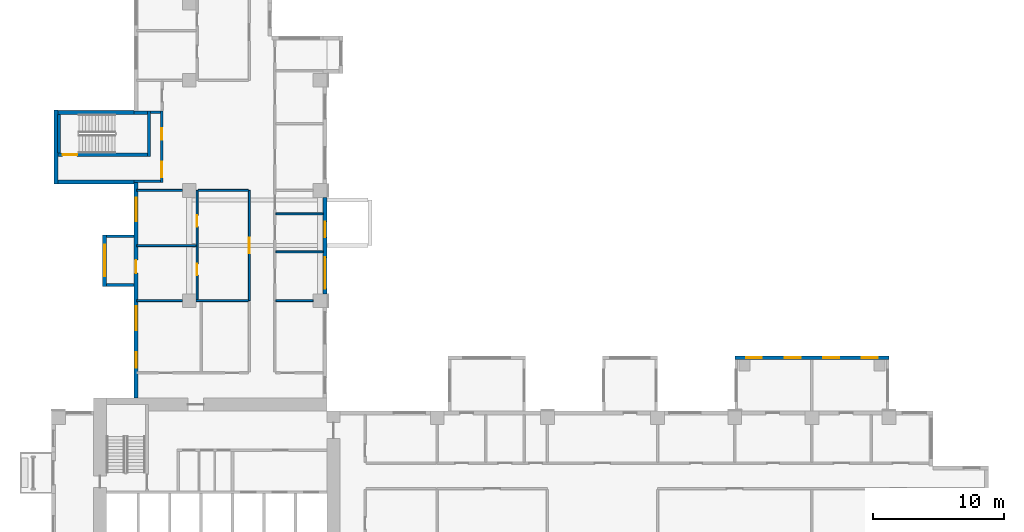
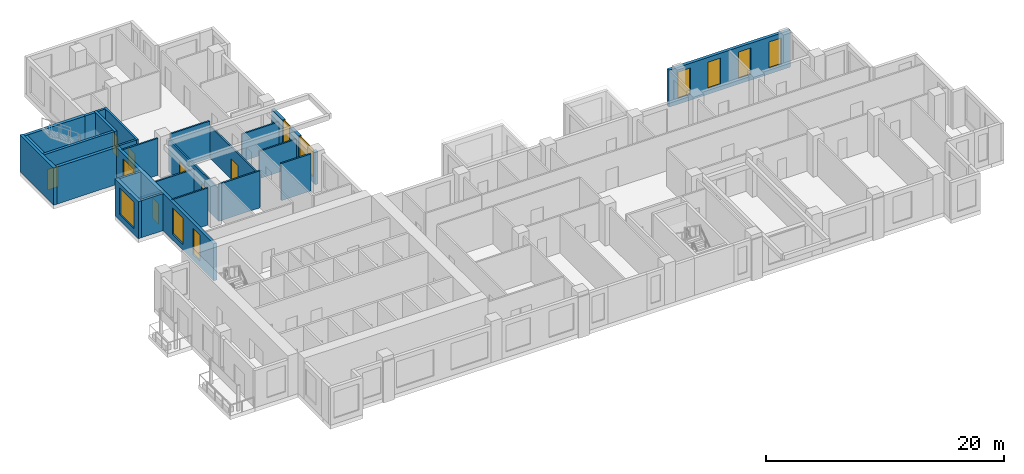
# One storey, part 6 of 14: 26 walls, 10 windows, 7 doors, 17 openings.
"""IFC4 building model written with IfcOpenShell, lengths in metres."""

from ifc_helpers import new_model, si_unit, direction, frame, frame_2d, origin, place, context, subcontext, project, spatial, rectangle, extrude, source, transform, mapped, material, layer, layer_set, type_object, element, fill, save


model = new_model("IFC4")

# Units and contexts
model_context = context("Model", 3, precision=1e-05, world=origin(), true_north=direction((0.0, 1.0)))
body_context = subcontext(model_context, "Body", "Model", "MODEL_VIEW")
ifc_project = project(units=[si_unit("LENGTHUNIT", "METRE"), si_unit("AREAUNIT", "SQUARE_METRE"), si_unit("VOLUMEUNIT", "CUBIC_METRE"), si_unit("PLANEANGLEUNIT", "RADIAN"), si_unit("MASSUNIT", "GRAM", prefix="KILO")], contexts=[model_context])

# Site, building, storey
site_placement = place(None, origin())
site = spatial("IfcSite", under=ifc_project, at=site_placement, CompositionType="ELEMENT")
building_placement = place(site_placement, origin())
building = spatial("IfcBuilding", under=site, at=building_placement, Name="Aurelian Terraces", CompositionType="ELEMENT")
storey_placement = place(building_placement, frame((0.0, 0.0, 141.3)))
storey = spatial("IfcBuildingStorey", under=building, at=storey_placement, Name="L31", CompositionType="ELEMENT", Elevation=141.3)

# Wall, openings, windows
ifc_material_1 = material(Name="Concrete fc' 40 MPa", Category="concrete")
ifc_layer_1 = layer(ifc_material_1, 0.3)
ifc_layer_set_1 = layer_set([ifc_layer_1], Name="BOX BEARING WALL 300")
wall_type_1 = type_object("IfcWallType", Name="BOX BEARING WALL 300", PredefinedType="SOLIDWALL", material=ifc_layer_set_1)
shared_shape_1 = source(origin(), body_context, "Body", "SweptSolid", [
    extrude(rectangle(XDim=11.76, YDim=0.3, at=frame_2d((5.88, 0.0))), origin(), (0.0, 0.0, 1.0), 3.79),
])
wall_1_placement = place(storey_placement, frame((63.84, 25.05, 0.0), z_axis=(0.0, 0.0, 1.0), x_axis=(-1.0, 0.0, 0.0)))
wall_1 = element("IfcWall", 1, at=wall_1_placement, inside=storey, type_object=wall_type_1, Name="Box wall L31 K02", PredefinedType="SOLIDWALL", context=body_context, shape_type="MappedRepresentation", body=[
    mapped(shared_shape_1, transform((0.0, 0.0, 0.0), scale=1.0)),
])
shared_shape_2 = source(origin(), body_context, "Body", "SweptSolid", [
    extrude(rectangle(XDim=1.2, YDim=2.7, at=frame_2d((0.6, 1.35))), frame((0.0, 0.16, 0.0), z_axis=(0.0, -1.0, 0.0), x_axis=(1.0, 0.0, 0.0)), (0.0, 0.0, 1.0), 0.32),
])
opening_1_placement = place(wall_1_placement, frame((0.87, 0.0, 0.6)))
opening_1 = element("IfcOpeningElement", 2, at=opening_1_placement, cuts=wall_1, Name="Opening W1227", PredefinedType="OPENING", context=body_context, shape_type="MappedRepresentation", body=[
    mapped(shared_shape_2, transform((0.0, 0.0, 0.0), scale=1.0)),
])
opening_2_placement = place(wall_1_placement, frame((3.81, 0.0, 0.6)))
opening_2 = element("IfcOpeningElement", 3, at=opening_2_placement, cuts=wall_1, Name="Opening W1227", PredefinedType="OPENING", context=body_context, shape_type="MappedRepresentation", body=[
    mapped(shared_shape_2, transform((0.0, 0.0, 0.0), scale=1.0)),
])
opening_3_placement = place(wall_1_placement, frame((6.75, 0.0, 0.6)))
opening_3 = element("IfcOpeningElement", 4, at=opening_3_placement, cuts=wall_1, Name="Opening W1227", PredefinedType="OPENING", context=body_context, shape_type="MappedRepresentation", body=[
    mapped(shared_shape_2, transform((0.0, 0.0, 0.0), scale=1.0)),
])
opening_4_placement = place(wall_1_placement, frame((9.69, 0.0, 0.6)))
opening_4 = element("IfcOpeningElement", 5, at=opening_4_placement, cuts=wall_1, Name="Opening W1227", PredefinedType="OPENING", context=body_context, shape_type="MappedRepresentation", body=[
    mapped(shared_shape_2, transform((0.0, 0.0, 0.0), scale=1.0)),
])
ifc_material_2 = material(Name="Clear glazing", Category="glass")
window_type_1 = type_object("IfcWindowType", Name="W-1200x2700", PartitioningType="SINGLE_PANEL", PredefinedType="WINDOW", material=ifc_material_2)
shared_shape_3 = source(origin(), body_context, "Body", "SweptSolid", [
    extrude(rectangle(XDim=1.2, YDim=2.7, at=frame_2d((0.6, 1.35))), frame((0.0, 0.03, 0.0), z_axis=(0.0, -1.0, 0.0), x_axis=(1.0, 0.0, 0.0)), (0.0, 0.0, 1.0), 0.06),
])
window_1_placement = place(opening_1_placement, origin())
window_1 = element("IfcWindow", 6, at=window_1_placement, inside=storey, type_object=window_type_1, Name="Window L31 K02-F1", OverallHeight=2.7, OverallWidth=1.2, PartitioningType="SINGLE_PANEL", PredefinedType="WINDOW", context=body_context, shape_type="MappedRepresentation", body=[
    mapped(shared_shape_3, transform((0.0, 0.0, 0.0), scale=1.0)),
])
fill(opening_1, window_1)
window_2_placement = place(opening_2_placement, origin())
window_2 = element("IfcWindow", 7, at=window_2_placement, inside=storey, type_object=window_type_1, Name="Window L31 K02-F2", OverallHeight=2.7, OverallWidth=1.2, PartitioningType="SINGLE_PANEL", PredefinedType="WINDOW", context=body_context, shape_type="MappedRepresentation", body=[
    mapped(shared_shape_3, transform((0.0, 0.0, 0.0), scale=1.0)),
])
fill(opening_2, window_2)
window_3_placement = place(opening_3_placement, origin())
window_3 = element("IfcWindow", 8, at=window_3_placement, inside=storey, type_object=window_type_1, Name="Window L31 K02-F3", OverallHeight=2.7, OverallWidth=1.2, PartitioningType="SINGLE_PANEL", PredefinedType="WINDOW", context=body_context, shape_type="MappedRepresentation", body=[
    mapped(shared_shape_3, transform((0.0, 0.0, 0.0), scale=1.0)),
])
fill(opening_3, window_3)
window_4_placement = place(opening_4_placement, origin())
window_4 = element("IfcWindow", 9, at=window_4_placement, inside=storey, type_object=window_type_1, Name="Window L31 K02-F4", OverallHeight=2.7, OverallWidth=1.2, PartitioningType="SINGLE_PANEL", PredefinedType="WINDOW", context=body_context, shape_type="MappedRepresentation", body=[
    mapped(shared_shape_3, transform((0.0, 0.0, 0.0), scale=1.0)),
])
fill(opening_4, window_4)

# Walls
ifc_layer_2 = layer(ifc_material_1, 0.3)
ifc_layer_set_2 = layer_set([ifc_layer_2], Name="STAIR BAY WALL 300")
wall_type_2 = type_object("IfcWallType", Name="STAIR BAY WALL 300", PredefinedType="SOLIDWALL", material=ifc_layer_set_2)
shared_shape_4 = source(origin(), body_context, "Body", "SweptSolid", [
    extrude(rectangle(XDim=6.1, YDim=0.3, at=frame_2d((3.05, 0.0))), origin(), (0.0, 0.0, 1.0), 3.8),
])
for number, where, z_axis, x_axis, name in (
    (10, (6.3, 43.75, 0.0), (0.0, 0.0, 1.0), (-1.0, 0.0, 0.0), "Stair bay wall L31 F13.29"),
    (11, (0.2, 38.45, 0.0), (0.0, 0.0, 1.0), (1.0, 0.0, 0.0), "Stair bay wall L31 F15.31"),
):
    element("IfcWall", number, at=place(storey_placement, frame(where, z_axis=z_axis, x_axis=x_axis)), inside=storey, type_object=wall_type_2, Name=name, PredefinedType="SOLIDWALL", context=body_context, shape_type="MappedRepresentation", body=[
        mapped(shared_shape_4, transform((0.0, 0.0, 0.0), scale=1.0)),
    ])
shared_shape_5 = source(origin(), body_context, "Body", "SweptSolid", [
    extrude(rectangle(XDim=5.65, YDim=0.3, at=frame_2d((2.825, 0.0))), origin(), (0.0, 0.0, 1.0), 3.8),
])
wall_2_placement = place(storey_placement, frame((0.35, 43.95, 0.0), z_axis=(0.0, 0.0, 1.0), x_axis=(0.0, -1.0, 0.0)))
element("IfcWall", 12, at=wall_2_placement, inside=storey, type_object=wall_type_2, Name="Stair bay wall L31 F14.30", PredefinedType="SOLIDWALL", context=body_context, shape_type="MappedRepresentation", body=[
    mapped(shared_shape_5, transform((0.0, 0.0, 0.0), scale=1.0)),
])

# Wall, openings, windows
ifc_material_3 = material(Name="Terracotta rainscreen cladding", Category="masonry")
ifc_layer_3 = layer(ifc_material_3, 0.3)
ifc_layer_set_3 = layer_set([ifc_layer_3], Name="EW-300")
wall_type_3 = type_object("IfcWallType", Name="EW-300", PredefinedType="STANDARD", material=ifc_layer_set_3)
shared_shape_6 = source(origin(), body_context, "Body", "SweptSolid", [
    extrude(rectangle(XDim=7.35, YDim=0.3, at=frame_2d((3.675, 0.0))), origin(), (0.0, 0.0, 1.0), 3.3),
])
wall_3_placement = place(storey_placement, frame((20.85, 29.925, 0.0), z_axis=(0.0, 0.0, 1.0), x_axis=(0.0, 1.0, 0.0)))
wall_3 = element("IfcWall", 13, at=wall_3_placement, inside=storey, type_object=wall_type_3, Name="External wall L31 F08.21", PredefinedType="STANDARD", context=body_context, shape_type="MappedRepresentation", body=[
    mapped(shared_shape_6, transform((0.0, 0.0, 0.0), scale=1.0)),
])
shared_shape_7 = source(origin(), body_context, "Body", "SweptSolid", [
    extrude(rectangle(XDim=2.4, YDim=2.7, at=frame_2d((1.2, 1.35))), frame((0.0, 0.16, 0.0), z_axis=(0.0, -1.0, 0.0), x_axis=(1.0, 0.0, 0.0)), (0.0, 0.0, 1.0), 0.32),
])
opening_5_placement = place(wall_3_placement, frame((0.375, 0.0, 0.6)))
opening_5 = element("IfcOpeningElement", 14, at=opening_5_placement, cuts=wall_3, Name="Opening W2427", PredefinedType="OPENING", context=body_context, shape_type="MappedRepresentation", body=[
    mapped(shared_shape_7, transform((0.0, 0.0, 0.0), scale=1.0)),
])
opening_6_placement = place(wall_3_placement, frame((4.2933, 0.0, 0.6)))
opening_6 = element("IfcOpeningElement", 15, at=opening_6_placement, cuts=wall_3, Name="Opening W1227", PredefinedType="OPENING", context=body_context, shape_type="MappedRepresentation", body=[
    mapped(shared_shape_2, transform((0.0, 0.0, 0.0), scale=1.0)),
])
window_type_2 = type_object("IfcWindowType", Name="W-2400x2700", PartitioningType="SINGLE_PANEL", PredefinedType="WINDOW", material=ifc_material_2)
shared_shape_8 = source(origin(), body_context, "Body", "SweptSolid", [
    extrude(rectangle(XDim=2.4, YDim=2.7, at=frame_2d((1.2, 1.35))), frame((0.0, 0.03, 0.0), z_axis=(0.0, -1.0, 0.0), x_axis=(1.0, 0.0, 0.0)), (0.0, 0.0, 1.0), 0.06),
])
window_5_placement = place(opening_5_placement, origin())
window_5 = element("IfcWindow", 16, at=window_5_placement, inside=storey, type_object=window_type_2, Name="Window L31 L31-F08-21-0", OverallHeight=2.7, OverallWidth=2.4, PartitioningType="SINGLE_PANEL", PredefinedType="WINDOW", context=body_context, shape_type="MappedRepresentation", body=[
    mapped(shared_shape_8, transform((0.0, 0.0, 0.0), scale=1.0)),
])
fill(opening_5, window_5)
window_6_placement = place(opening_6_placement, origin())
window_6 = element("IfcWindow", 17, at=window_6_placement, inside=storey, type_object=window_type_1, Name="Window L31 L31-F08-21-G0-33", OverallHeight=2.7, OverallWidth=1.2, PartitioningType="SINGLE_PANEL", PredefinedType="WINDOW", context=body_context, shape_type="MappedRepresentation", body=[
    mapped(shared_shape_3, transform((0.0, 0.0, 0.0), scale=1.0)),
])
fill(opening_6, window_6)

# Walls
ifc_layer_4 = layer(ifc_material_1, 0.2)
ifc_layer_set_4 = layer_set([ifc_layer_4], Name="BOX BEARING WALL 200")
wall_type_4 = type_object("IfcWallType", Name="BOX BEARING WALL 200", PredefinedType="SOLIDWALL", material=ifc_layer_set_4)
shared_shape_9 = source(origin(), body_context, "Body", "SweptSolid", [
    extrude(rectangle(XDim=2.1, YDim=0.2, at=frame_2d((1.05, 0.0))), origin(), (0.0, 0.0, 1.0), 3.8),
])
for number, where, z_axis, x_axis, name in (
    (18, (6.3, 34.3, 0.0), (0.0, 0.0, 1.0), (-1.0, 0.0, 0.0), "Box return L31 J44.1"),
    (19, (6.3, 30.6, 0.0), (0.0, 0.0, 1.0), (-1.0, 0.0, 0.0), "Box return L31 J44.2"),
):
    element("IfcWall", number, at=place(storey_placement, frame(where, z_axis=z_axis, x_axis=x_axis)), inside=storey, type_object=wall_type_4, Name=name, PredefinedType="SOLIDWALL", context=body_context, shape_type="MappedRepresentation", body=[
        mapped(shared_shape_9, transform((0.0, 0.0, 0.0), scale=1.0)),
    ])

# Wall, openings, windows, door
shared_shape_10 = source(origin(), body_context, "Body", "SweptSolid", [
    extrude(rectangle(XDim=16.4, YDim=0.3, at=frame_2d((8.2, 0.0))), origin(), (0.0, 0.0, 1.0), 3.8),
])
wall_4_placement = place(storey_placement, frame((6.45, 38.4, 0.0), z_axis=(0.0, 0.0, 1.0), x_axis=(0.0, -1.0, 0.0)))
wall_4 = element("IfcWall", 20, at=wall_4_placement, inside=storey, type_object=wall_type_3, Name="External wall L31 F16.32", PredefinedType="STANDARD", context=body_context, shape_type="MappedRepresentation", body=[
    mapped(shared_shape_10, transform((0.0, 0.0, 0.0), scale=1.0)),
])
shared_shape_11 = source(origin(), body_context, "Body", "SweptSolid", [
    extrude(rectangle(XDim=1.8, YDim=2.7, at=frame_2d((0.9, 1.35))), frame((0.0, 0.16, 0.0), z_axis=(0.0, -1.0, 0.0), x_axis=(1.0, 0.0, 0.0)), (0.0, 0.0, 1.0), 0.32),
])
opening_7_placement = place(wall_4_placement, frame((1.15, 0.0, 0.6)))
opening_7 = element("IfcOpeningElement", 21, at=opening_7_placement, cuts=wall_4, Name="Opening W1827", PredefinedType="OPENING", context=body_context, shape_type="MappedRepresentation", body=[
    mapped(shared_shape_11, transform((0.0, 0.0, 0.0), scale=1.0)),
])
opening_8_placement = place(wall_4_placement, frame((9.4375, 0.0, 0.6)))
opening_8 = element("IfcOpeningElement", 22, at=opening_8_placement, cuts=wall_4, Name="Opening W1827", PredefinedType="OPENING", context=body_context, shape_type="MappedRepresentation", body=[
    mapped(shared_shape_11, transform((0.0, 0.0, 0.0), scale=1.0)),
])
opening_9_placement = place(wall_4_placement, frame((12.9125, 0.0, 0.6)))
opening_9 = element("IfcOpeningElement", 23, at=opening_9_placement, cuts=wall_4, Name="Opening W1227", PredefinedType="OPENING", context=body_context, shape_type="MappedRepresentation", body=[
    mapped(shared_shape_2, transform((0.0, 0.0, 0.0), scale=1.0)),
])
shared_shape_12 = source(origin(), body_context, "Body", "SweptSolid", [
    extrude(rectangle(XDim=1.0, YDim=2.1, at=frame_2d((0.5, 1.05))), frame((0.0, 0.16, 0.0), z_axis=(0.0, -1.0, 0.0), x_axis=(1.0, 0.0, 0.0)), (0.0, 0.0, 1.0), 0.32),
])
opening_10_placement = place(wall_4_placement, frame((5.9083, 0.0, 0.0)))
opening_10 = element("IfcOpeningElement", 24, at=opening_10_placement, cuts=wall_4, Name="Opening 831003", PredefinedType="OPENING", context=body_context, shape_type="MappedRepresentation", body=[
    mapped(shared_shape_12, transform((0.0, 0.0, 0.0), scale=1.0)),
])
window_type_3 = type_object("IfcWindowType", Name="W-1800x2700", PartitioningType="SINGLE_PANEL", PredefinedType="WINDOW", material=ifc_material_2)
shared_shape_13 = source(origin(), body_context, "Body", "SweptSolid", [
    extrude(rectangle(XDim=1.8, YDim=2.7, at=frame_2d((0.9, 1.35))), frame((0.0, 0.03, 0.0), z_axis=(0.0, -1.0, 0.0), x_axis=(1.0, 0.0, 0.0)), (0.0, 0.0, 1.0), 0.06),
])
window_7_placement = place(opening_7_placement, origin())
window_7 = element("IfcWindow", 25, at=window_7_placement, inside=storey, type_object=window_type_3, Name="Window L31 L31-F16-32-0", OverallHeight=2.7, OverallWidth=1.8, PartitioningType="SINGLE_PANEL", PredefinedType="WINDOW", context=body_context, shape_type="MappedRepresentation", body=[
    mapped(shared_shape_13, transform((0.0, 0.0, 0.0), scale=1.0)),
])
fill(opening_7, window_7)
window_8_placement = place(opening_8_placement, origin())
window_8 = element("IfcWindow", 26, at=window_8_placement, inside=storey, type_object=window_type_3, Name="Window L31 L31-F16-32-2", OverallHeight=2.7, OverallWidth=1.8, PartitioningType="SINGLE_PANEL", PredefinedType="WINDOW", context=body_context, shape_type="MappedRepresentation", body=[
    mapped(shared_shape_13, transform((0.0, 0.0, 0.0), scale=1.0)),
])
fill(opening_8, window_8)
window_9_placement = place(opening_9_placement, origin())
window_9 = element("IfcWindow", 27, at=window_9_placement, inside=storey, type_object=window_type_1, Name="Window L31 L31-F16-32-3", OverallHeight=2.7, OverallWidth=1.2, PartitioningType="SINGLE_PANEL", PredefinedType="WINDOW", context=body_context, shape_type="MappedRepresentation", body=[
    mapped(shared_shape_3, transform((0.0, 0.0, 0.0), scale=1.0)),
])
fill(opening_9, window_9)
ifc_material_4 = material(Name="Timber door leaf", Category="wood")
door_type_1 = type_object("IfcDoorType", Name="Room door 1000x2100 left", OperationType="SINGLE_SWING_LEFT", PredefinedType="DOOR", material=ifc_material_4)
shared_shape_14 = source(origin(), body_context, "Body", "SweptSolid", [
    extrude(rectangle(XDim=1.0, YDim=2.1, at=frame_2d((0.5, 1.05))), frame((0.0, 0.025, 0.0), z_axis=(0.0, -1.0, 0.0), x_axis=(1.0, 0.0, 0.0)), (0.0, 0.0, 1.0), 0.05),
])
door_1_placement = place(opening_10_placement, origin())
door_1 = element("IfcDoor", 28, at=door_1_placement, inside=storey, type_object=door_type_1, Name="Door 831003", OperationType="SINGLE_SWING_LEFT", OverallHeight=2.1, OverallWidth=1.0, PredefinedType="DOOR", context=body_context, shape_type="MappedRepresentation", body=[
    mapped(shared_shape_14, transform((0.0, 0.0, 0.0), scale=1.0)),
])
fill(opening_10, door_1)

# Wall, opening, window
shared_shape_15 = source(origin(), body_context, "Body", "SweptSolid", [
    extrude(rectangle(XDim=3.9, YDim=0.3, at=frame_2d((1.95, 0.0))), origin(), (0.0, 0.0, 1.0), 3.8),
])
wall_5_placement = place(storey_placement, frame((4.05, 34.4, 0.0), z_axis=(0.0, 0.0, 1.0), x_axis=(0.0, -1.0, 0.0)))
wall_5 = element("IfcWall", 29, at=wall_5_placement, inside=storey, type_object=wall_type_1, Name="Box wall L31 J44", PredefinedType="SOLIDWALL", context=body_context, shape_type="MappedRepresentation", body=[
    mapped(shared_shape_15, transform((0.0, 0.0, 0.0), scale=1.0)),
])
opening_11_placement = place(wall_5_placement, frame((0.75, 0.0, 0.6)))
opening_11 = element("IfcOpeningElement", 30, at=opening_11_placement, cuts=wall_5, Name="Opening W2427", PredefinedType="OPENING", context=body_context, shape_type="MappedRepresentation", body=[
    mapped(shared_shape_7, transform((0.0, 0.0, 0.0), scale=1.0)),
])
window_10_placement = place(opening_11_placement, origin())
window_10 = element("IfcWindow", 31, at=window_10_placement, inside=storey, type_object=window_type_2, Name="Window L31 J44-F1", OverallHeight=2.7, OverallWidth=2.4, PartitioningType="SINGLE_PANEL", PredefinedType="WINDOW", context=body_context, shape_type="MappedRepresentation", body=[
    mapped(shared_shape_8, transform((0.0, 0.0, 0.0), scale=1.0)),
])
fill(opening_11, window_10)

# Wall, opening, door
ifc_layer_5 = layer(ifc_material_1, 0.25)
ifc_layer_set_5 = layer_set([ifc_layer_5], Name="Stair enclosure wall 250")
wall_type_5 = type_object("IfcWallType", Name="Stair enclosure wall 250", PredefinedType="SOLIDWALL", material=ifc_layer_set_5)
shared_shape_16 = source(origin(), body_context, "Body", "SweptSolid", [
    extrude(rectangle(XDim=7.0, YDim=0.25, at=frame_2d((3.5, 0.0))), origin(), (0.0, 0.0, 1.0), 3.8),
])
wall_6_placement = place(storey_placement, frame((0.3, 40.525, 0.0), z_axis=(0.0, 0.0, 1.0), x_axis=(1.0, 0.0, 0.0)))
wall_6 = element("IfcWall", 32, at=wall_6_placement, inside=storey, type_object=wall_type_5, Name="L31 core wall ST-S3-W", PredefinedType="SOLIDWALL", context=body_context, shape_type="MappedRepresentation", body=[
    mapped(shared_shape_16, transform((0.0, 0.0, 0.0), scale=1.0)),
])
shared_shape_17 = source(origin(), body_context, "Body", "SweptSolid", [
    extrude(rectangle(XDim=1.1, YDim=2.1, at=frame_2d((0.55, 1.05))), frame((0.0, 0.135, 0.0), z_axis=(0.0, -1.0, 0.0), x_axis=(1.0, 0.0, 0.0)), (0.0, 0.0, 1.0), 0.27),
])
opening_12_placement = place(wall_6_placement, frame((0.55, 0.0, 0.0)))
opening_12 = element("IfcOpeningElement", 33, at=opening_12_placement, cuts=wall_6, Name="Opening 63418", PredefinedType="OPENING", context=body_context, shape_type="MappedRepresentation", body=[
    mapped(shared_shape_17, transform((0.0, 0.0, 0.0), scale=1.0)),
])
ifc_material_5 = material(Name="Steel door leaf", Category="steel")
door_type_2 = type_object("IfcDoorType", Name="Core fire door 1100x2100", OperationType="SINGLE_SWING_LEFT", PredefinedType="DOOR", material=ifc_material_5)
shared_shape_18 = source(origin(), body_context, "Body", "SweptSolid", [
    extrude(rectangle(XDim=1.1, YDim=2.1, at=frame_2d((0.55, 1.05))), frame((0.0, 0.025, 0.0), z_axis=(0.0, -1.0, 0.0), x_axis=(1.0, 0.0, 0.0)), (0.0, 0.0, 1.0), 0.05),
])
door_2_placement = place(opening_12_placement, origin())
door_2 = element("IfcDoor", 34, at=door_2_placement, inside=storey, type_object=door_type_2, Name="Stair door 63418", OperationType="SINGLE_SWING_LEFT", OverallHeight=2.1, OverallWidth=1.1, PredefinedType="DOOR", context=body_context, shape_type="MappedRepresentation", body=[
    mapped(shared_shape_18, transform((0.0, 0.0, 0.0), scale=1.0)),
])
fill(opening_12, door_2)

# Walls
shared_shape_19 = source(origin(), body_context, "Body", "SweptSolid", [
    extrude(rectangle(XDim=3.45, YDim=0.25, at=frame_2d((1.725, 0.0))), origin(), (0.0, 0.0, 1.0), 3.8),
])
wall_7_placement = place(storey_placement, frame((7.425, 40.4, 0.0), z_axis=(0.0, 0.0, 1.0), x_axis=(0.0, 1.0, 0.0)))
element("IfcWall", 35, at=wall_7_placement, inside=storey, type_object=wall_type_5, Name="L31 core wall ST-S3-N", PredefinedType="SOLIDWALL", context=body_context, shape_type="MappedRepresentation", body=[
    mapped(shared_shape_19, transform((0.0, 0.0, 0.0), scale=1.0)),
])
shared_shape_20 = source(origin(), body_context, "Body", "SweptSolid", [
    extrude(rectangle(XDim=2.95, YDim=0.25, at=frame_2d((1.475, 0.0))), origin(), (0.0, 0.0, 1.0), 3.8),
])
wall_8_placement = place(storey_placement, frame((0.575, 40.65, 0.0), z_axis=(0.0, 0.0, 1.0), x_axis=(0.0, 1.0, 0.0)))
element("IfcWall", 36, at=wall_8_placement, inside=storey, type_object=wall_type_5, Name="L31 core wall ST-S3-SS", PredefinedType="SOLIDWALL", context=body_context, shape_type="MappedRepresentation", body=[
    mapped(shared_shape_20, transform((0.0, 0.0, 0.0), scale=1.0)),
])

# Wall, openings, doors
ifc_material_6 = material(Name="Gypsum board on steel studs", Category="steel")
ifc_layer_6 = layer(ifc_material_6, 0.2)
ifc_layer_set_6 = layer_set([ifc_layer_6], Name="Core partition 200")
wall_type_6 = type_object("IfcWallType", Name="Core partition 200", PredefinedType="PARTITIONING", material=ifc_layer_set_6)
shared_shape_21 = source(origin(), body_context, "Body", "SweptSolid", [
    extrude(rectangle(XDim=5.45, YDim=0.2, at=frame_2d((2.725, 0.0))), origin(), (0.0, 0.0, 1.0), 3.8),
])
wall_9_placement = place(storey_placement, frame((8.4, 38.4, 0.0), z_axis=(0.0, 0.0, 1.0), x_axis=(0.0, 1.0, 0.0)))
wall_9 = element("IfcWall", 37, at=wall_9_placement, inside=storey, type_object=wall_type_6, Name="L31 core wall ST-S3-BN", PredefinedType="PARTITIONING", context=body_context, shape_type="MappedRepresentation", body=[
    mapped(shared_shape_21, transform((0.0, 0.0, 0.0), scale=1.0)),
])
shared_shape_22 = source(origin(), body_context, "Body", "SweptSolid", [
    extrude(rectangle(XDim=1.2, YDim=2.1, at=frame_2d((0.6, 1.05))), frame((0.0, 0.11, 0.0), z_axis=(0.0, -1.0, 0.0), x_axis=(1.0, 0.0, 0.0)), (0.0, 0.0, 1.0), 0.22),
])
opening_13_placement = place(wall_9_placement, frame((0.4, 0.0, 0.0)))
opening_13 = element("IfcOpeningElement", 38, at=opening_13_placement, cuts=wall_9, Name="Opening 63419", PredefinedType="OPENING", context=body_context, shape_type="MappedRepresentation", body=[
    mapped(shared_shape_22, transform((0.0, 0.0, 0.0), scale=1.0)),
])
shared_shape_23 = source(origin(), body_context, "Body", "SweptSolid", [
    extrude(rectangle(XDim=0.9, YDim=2.1, at=frame_2d((0.45, 1.05))), frame((0.0, 0.11, 0.0), z_axis=(0.0, -1.0, 0.0), x_axis=(1.0, 0.0, 0.0)), (0.0, 0.0, 1.0), 0.22),
])
opening_14_placement = place(wall_9_placement, frame((3.25, 0.0, 0.0)))
opening_14 = element("IfcOpeningElement", 39, at=opening_14_placement, cuts=wall_9, Name="Opening 63420", PredefinedType="OPENING", context=body_context, shape_type="MappedRepresentation", body=[
    mapped(shared_shape_23, transform((0.0, 0.0, 0.0), scale=1.0)),
])
door_type_3 = type_object("IfcDoorType", Name="Core riser door 900x2100", OperationType="SINGLE_SWING_LEFT", PredefinedType="DOOR", material=ifc_material_5)
shared_shape_24 = source(origin(), body_context, "Body", "SweptSolid", [
    extrude(rectangle(XDim=0.9, YDim=2.1, at=frame_2d((0.45, 1.05))), frame((0.0, 0.025, 0.0), z_axis=(0.0, -1.0, 0.0), x_axis=(1.0, 0.0, 0.0)), (0.0, 0.0, 1.0), 0.05),
])
door_3_placement = place(opening_14_placement, origin())
door_3 = element("IfcDoor", 40, at=door_3_placement, inside=storey, type_object=door_type_3, Name="Riser door 63420", OperationType="SINGLE_SWING_LEFT", OverallHeight=2.1, OverallWidth=0.9, PredefinedType="DOOR", context=body_context, shape_type="MappedRepresentation", body=[
    mapped(shared_shape_24, transform((0.0, 0.0, 0.0), scale=1.0)),
])
fill(opening_14, door_3)
door_type_4 = type_object("IfcDoorType", Name="Core fire door 1200x2100 right", OperationType="SINGLE_SWING_RIGHT", PredefinedType="DOOR", material=ifc_material_5)
shared_shape_25 = source(origin(), body_context, "Body", "SweptSolid", [
    extrude(rectangle(XDim=1.2, YDim=2.1, at=frame_2d((0.6, 1.05))), frame((0.0, 0.025, 0.0), z_axis=(0.0, -1.0, 0.0), x_axis=(1.0, 0.0, 0.0)), (0.0, 0.0, 1.0), 0.05),
])
door_4_placement = place(opening_13_placement, origin())
door_4 = element("IfcDoor", 41, at=door_4_placement, inside=storey, type_object=door_type_4, Name="Vestibule door 63419", OperationType="SINGLE_SWING_RIGHT", OverallHeight=2.1, OverallWidth=1.2, PredefinedType="DOOR", context=body_context, shape_type="MappedRepresentation", body=[
    mapped(shared_shape_25, transform((0.0, 0.0, 0.0), scale=1.0)),
])
fill(opening_13, door_4)

# Walls
shared_shape_26 = source(origin(), body_context, "Body", "SweptSolid", [
    extrude(rectangle(XDim=0.75, YDim=0.2, at=frame_2d((0.375, 0.0))), origin(), (0.0, 0.0, 1.0), 3.8),
])
wall_10_placement = place(storey_placement, frame((7.55, 43.75, 0.0), z_axis=(0.0, 0.0, 1.0), x_axis=(1.0, 0.0, 0.0)))
element("IfcWall", 42, at=wall_10_placement, inside=storey, type_object=wall_type_6, Name="L31 core wall ST-S3-RE", PredefinedType="PARTITIONING", context=body_context, shape_type="MappedRepresentation", body=[
    mapped(shared_shape_26, transform((0.0, 0.0, 0.0), scale=1.0)),
])
shared_shape_27 = source(origin(), body_context, "Body", "SweptSolid", [
    extrude(rectangle(XDim=1.0, YDim=0.25, at=frame_2d((0.5, 0.0))), origin(), (0.0, 0.0, 1.0), 3.8),
])
wall_11_placement = place(storey_placement, frame((6.3, 43.725, 0.0), z_axis=(0.0, 0.0, 1.0), x_axis=(1.0, 0.0, 0.0)))
element("IfcWall", 43, at=wall_11_placement, inside=storey, type_object=wall_type_5, Name="L31 core wall ST-S3-E", PredefinedType="SOLIDWALL", context=body_context, shape_type="MappedRepresentation", body=[
    mapped(shared_shape_27, transform((0.0, 0.0, 0.0), scale=1.0)),
])
shared_shape_28 = source(origin(), body_context, "Body", "SweptSolid", [
    extrude(rectangle(XDim=2.0, YDim=0.2, at=frame_2d((1.0, 0.0))), origin(), (0.0, 0.0, 1.0), 3.8),
])
wall_12_placement = place(storey_placement, frame((6.3, 38.5, 0.0), z_axis=(0.0, 0.0, 1.0), x_axis=(1.0, 0.0, 0.0)))
element("IfcWall", 44, at=wall_12_placement, inside=storey, type_object=wall_type_6, Name="L31 core wall ST-S3-VW", PredefinedType="PARTITIONING", context=body_context, shape_type="MappedRepresentation", body=[
    mapped(shared_shape_28, transform((0.0, 0.0, 0.0), scale=1.0)),
])
ifc_layer_7 = layer(ifc_material_6, 0.15)
ifc_layer_set_7 = layer_set([ifc_layer_7], Name="Partition 150")
wall_type_7 = type_object("IfcWallType", Name="Partition 150", PredefinedType="PARTITIONING", material=ifc_layer_set_7)
shared_shape_29 = source(origin(), body_context, "Body", "SweptSolid", [
    extrude(rectangle(XDim=3.6, YDim=0.15, at=frame_2d((1.8, 0.0))), origin(), (0.0, 0.0, 1.0), 2.8),
])
for number, where, z_axis, x_axis, name in (
    (45, (17.1, 33.1133, 0.0), (0.0, 0.0, 1.0), (1.0, 0.0, 0.0), "Partition"),
    (46, (17.1, 36.024, 0.0), (0.0, 0.0, 1.0), (1.0, 0.0, 0.0), "Partition"),
):
    element("IfcWall", number, at=place(storey_placement, frame(where, z_axis=z_axis, x_axis=x_axis)), inside=storey, type_object=wall_type_7, Name=name, PredefinedType="PARTITIONING", context=body_context, shape_type="MappedRepresentation", body=[
        mapped(shared_shape_29, transform((0.0, 0.0, 0.0), scale=1.0)),
    ])

# Wall, openings, doors
shared_shape_30 = source(origin(), body_context, "Body", "SweptSolid", [
    extrude(rectangle(XDim=8.4, YDim=0.15, at=frame_2d((4.2, 0.0))), origin(), (0.0, 0.0, 1.0), 3.3),
])
wall_13_placement = place(storey_placement, frame((11.1, 29.4, 0.0), z_axis=(0.0, 0.0, 1.0), x_axis=(0.0, 1.0, 0.0)))
wall_13 = element("IfcWall", 47, at=wall_13_placement, inside=storey, type_object=wall_type_7, Name="Partition", PredefinedType="PARTITIONING", context=body_context, shape_type="MappedRepresentation", body=[
    mapped(shared_shape_30, transform((0.0, 0.0, 0.0), scale=1.0)),
])
shared_shape_31 = source(origin(), body_context, "Body", "SweptSolid", [
    extrude(rectangle(XDim=0.9, YDim=2.1, at=frame_2d((0.45, 1.05))), frame((0.0, 0.085, 0.0), z_axis=(0.0, -1.0, 0.0), x_axis=(1.0, 0.0, 0.0)), (0.0, 0.0, 1.0), 0.17),
])
opening_15_placement = place(wall_13_placement, frame((1.925, 0.0, 0.0)))
opening_15 = element("IfcOpeningElement", 48, at=opening_15_placement, cuts=wall_13, Name="Opening 731029", PredefinedType="OPENING", context=body_context, shape_type="MappedRepresentation", body=[
    mapped(shared_shape_31, transform((0.0, 0.0, 0.0), scale=1.0)),
])
opening_16_placement = place(wall_13_placement, frame((5.625, 0.0, 0.0)))
opening_16 = element("IfcOpeningElement", 49, at=opening_16_placement, cuts=wall_13, Name="Opening 731030", PredefinedType="OPENING", context=body_context, shape_type="MappedRepresentation", body=[
    mapped(shared_shape_31, transform((0.0, 0.0, 0.0), scale=1.0)),
])
door_type_5 = type_object("IfcDoorType", Name="Room door 900x2100 right", OperationType="SINGLE_SWING_RIGHT", PredefinedType="DOOR", material=ifc_material_4)
door_5_placement = place(opening_15_placement, origin())
door_5 = element("IfcDoor", 50, at=door_5_placement, inside=storey, type_object=door_type_5, Name="Door 731029", OperationType="SINGLE_SWING_RIGHT", OverallHeight=2.1, OverallWidth=0.9, PredefinedType="DOOR", context=body_context, shape_type="MappedRepresentation", body=[
    mapped(shared_shape_24, transform((0.0, 0.0, 0.0), scale=1.0)),
])
fill(opening_15, door_5)
door_type_6 = type_object("IfcDoorType", Name="Room door 900x2100 left", OperationType="SINGLE_SWING_LEFT", PredefinedType="DOOR", material=ifc_material_4)
door_6_placement = place(opening_16_placement, origin())
door_6 = element("IfcDoor", 51, at=door_6_placement, inside=storey, type_object=door_type_6, Name="Door 731030", OperationType="SINGLE_SWING_LEFT", OverallHeight=2.1, OverallWidth=0.9, PredefinedType="DOOR", context=body_context, shape_type="MappedRepresentation", body=[
    mapped(shared_shape_24, transform((0.0, 0.0, 0.0), scale=1.0)),
])
fill(opening_16, door_6)

# Wall, opening, door
ifc_layer_8 = layer(ifc_material_6, 0.15)
ifc_layer_set_8 = layer_set([ifc_layer_8], Name="Fire partition 150")
wall_type_8 = type_object("IfcWallType", Name="Fire partition 150", PredefinedType="PARTITIONING", material=ifc_layer_set_8)
wall_14_placement = place(storey_placement, frame((15.075, 29.4, 0.0), z_axis=(0.0, 0.0, 1.0), x_axis=(0.0, 1.0, 0.0)))
wall_14 = element("IfcWall", 52, at=wall_14_placement, inside=storey, type_object=wall_type_8, Name="Corridor wall", PredefinedType="PARTITIONING", context=body_context, shape_type="MappedRepresentation", body=[
    mapped(shared_shape_30, transform((0.0, 0.0, 0.0), scale=1.0)),
])
shared_shape_32 = source(origin(), body_context, "Body", "SweptSolid", [
    extrude(rectangle(XDim=1.2, YDim=2.1, at=frame_2d((0.6, 1.05))), frame((0.0, 0.085, 0.0), z_axis=(0.0, -1.0, 0.0), x_axis=(1.0, 0.0, 0.0)), (0.0, 0.0, 1.0), 0.17),
])
opening_17_placement = place(wall_14_placement, frame((3.6, 0.0, 0.0)))
opening_17 = element("IfcOpeningElement", 53, at=opening_17_placement, cuts=wall_14, Name="Opening 731028", PredefinedType="OPENING", context=body_context, shape_type="MappedRepresentation", body=[
    mapped(shared_shape_32, transform((0.0, 0.0, 0.0), scale=1.0)),
])
door_type_7 = type_object("IfcDoorType", Name="Room door 1200x2100 left", OperationType="SINGLE_SWING_LEFT", PredefinedType="DOOR", material=ifc_material_4)
door_7_placement = place(opening_17_placement, origin())
door_7 = element("IfcDoor", 54, at=door_7_placement, inside=storey, type_object=door_type_7, Name="Door 731028", OperationType="SINGLE_SWING_LEFT", OverallHeight=2.1, OverallWidth=1.2, PredefinedType="DOOR", context=body_context, shape_type="MappedRepresentation", body=[
    mapped(shared_shape_25, transform((0.0, 0.0, 0.0), scale=1.0)),
])
fill(opening_17, door_7)

# Walls
shared_shape_33 = source(origin(), body_context, "Body", "SweptSolid", [
    extrude(rectangle(XDim=3.976, YDim=0.15, at=frame_2d((1.988, 0.0))), origin(), (0.0, 0.0, 1.0), 3.8),
])
wall_15_placement = place(storey_placement, frame((15.0, 29.4, 0.0), z_axis=(0.0, 0.0, 1.0), x_axis=(-1.0, 0.0, 0.0)))
element("IfcWall", 55, at=wall_15_placement, inside=storey, type_object=wall_type_7, Name="Partition", PredefinedType="PARTITIONING", context=body_context, shape_type="MappedRepresentation", body=[
    mapped(shared_shape_33, transform((0.0, 0.0, 0.0), scale=1.0)),
])
shared_shape_34 = source(origin(), body_context, "Body", "SweptSolid", [
    extrude(rectangle(XDim=3.825, YDim=0.15, at=frame_2d((1.9125, 0.0))), origin(), (0.0, 0.0, 1.0), 3.8),
])
wall_16_placement = place(storey_placement, frame((15.0, 37.8, 0.0), z_axis=(0.0, 0.0, 1.0), x_axis=(-1.0, 0.0, 0.0)))
element("IfcWall", 56, at=wall_16_placement, inside=storey, type_object=wall_type_7, Name="Partition", PredefinedType="PARTITIONING", context=body_context, shape_type="MappedRepresentation", body=[
    mapped(shared_shape_34, transform((0.0, 0.0, 0.0), scale=1.0)),
])
shared_shape_35 = source(origin(), body_context, "Body", "SweptSolid", [
    extrude(rectangle(XDim=2.851, YDim=0.15, at=frame_2d((1.4255, 0.0))), origin(), (0.0, 0.0, 1.0), 3.8),
])
wall_17_placement = place(storey_placement, frame((19.951, 29.4, 0.0), z_axis=(0.0, 0.0, 1.0), x_axis=(-1.0, 0.0, 0.0)))
element("IfcWall", 57, at=wall_17_placement, inside=storey, type_object=wall_type_7, Name="Partition", PredefinedType="PARTITIONING", context=body_context, shape_type="MappedRepresentation", body=[
    mapped(shared_shape_35, transform((0.0, 0.0, 0.0), scale=1.0)),
])
shared_shape_36 = source(origin(), body_context, "Body", "SweptSolid", [
    extrude(rectangle(XDim=3.471, YDim=0.15, at=frame_2d((1.7355, 0.0))), origin(), (0.0, 0.0, 1.0), 3.8),
])
for number, where, z_axis, x_axis, name in (
    (58, (9.976, 29.4, 0.0), (0.0, 0.0, 1.0), (-1.0, 0.0, 0.0), "Partition"),
    (59, (9.976, 37.8, 0.0), (0.0, 0.0, 1.0), (-1.0, 0.0, 0.0), "Partition"),
):
    element("IfcWall", number, at=place(storey_placement, frame(where, z_axis=z_axis, x_axis=x_axis)), inside=storey, type_object=wall_type_7, Name=name, PredefinedType="PARTITIONING", context=body_context, shape_type="MappedRepresentation", body=[
        mapped(shared_shape_36, transform((0.0, 0.0, 0.0), scale=1.0)),
    ])
shared_shape_37 = source(origin(), body_context, "Body", "SweptSolid", [
    extrude(rectangle(XDim=4.52, YDim=0.15, at=frame_2d((2.26, 0.0))), origin(), (0.0, 0.0, 1.0), 2.8),
])
wall_18_placement = place(storey_placement, frame((11.025, 33.6, 0.0), z_axis=(0.0, 0.0, 1.0), x_axis=(-1.0, 0.0, 0.0)))
element("IfcWall", 60, at=wall_18_placement, inside=storey, type_object=wall_type_7, Name="Partition", PredefinedType="PARTITIONING", context=body_context, shape_type="MappedRepresentation", body=[
    mapped(shared_shape_37, transform((0.0, 0.0, 0.0), scale=1.0)),
])

save(model, "model.ifc")
